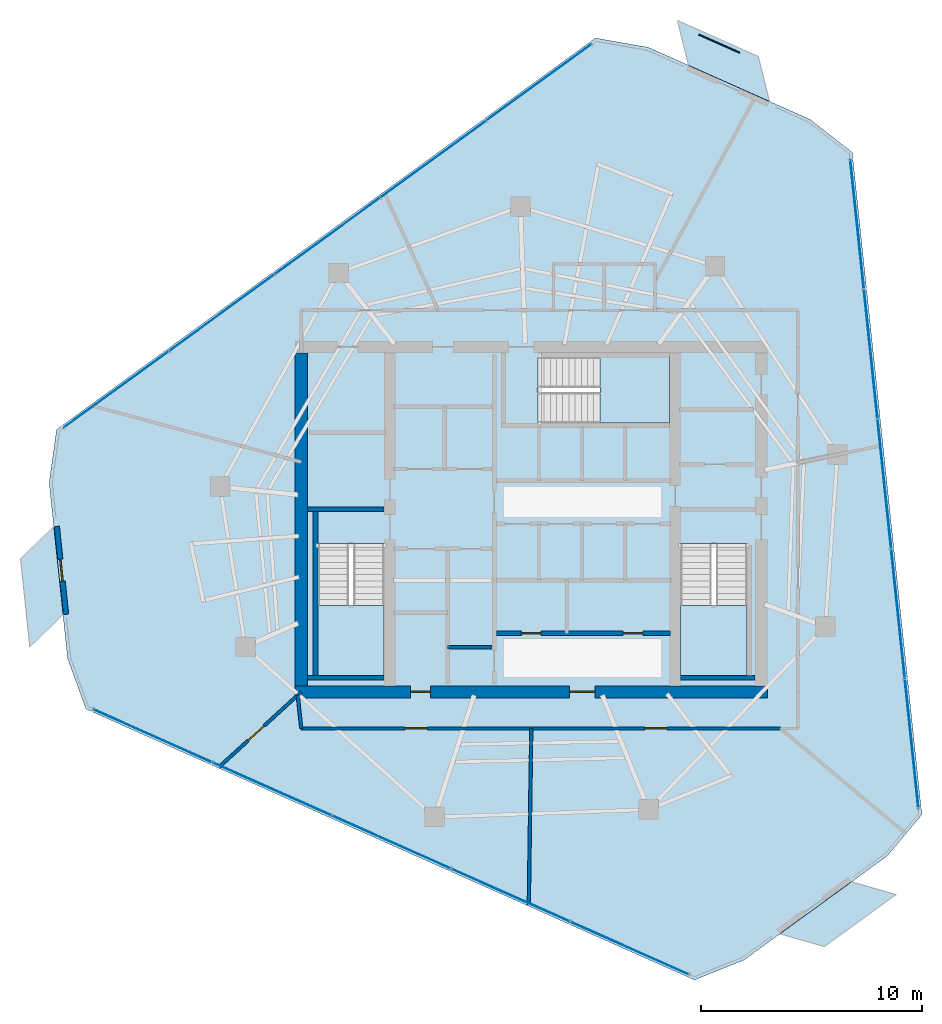
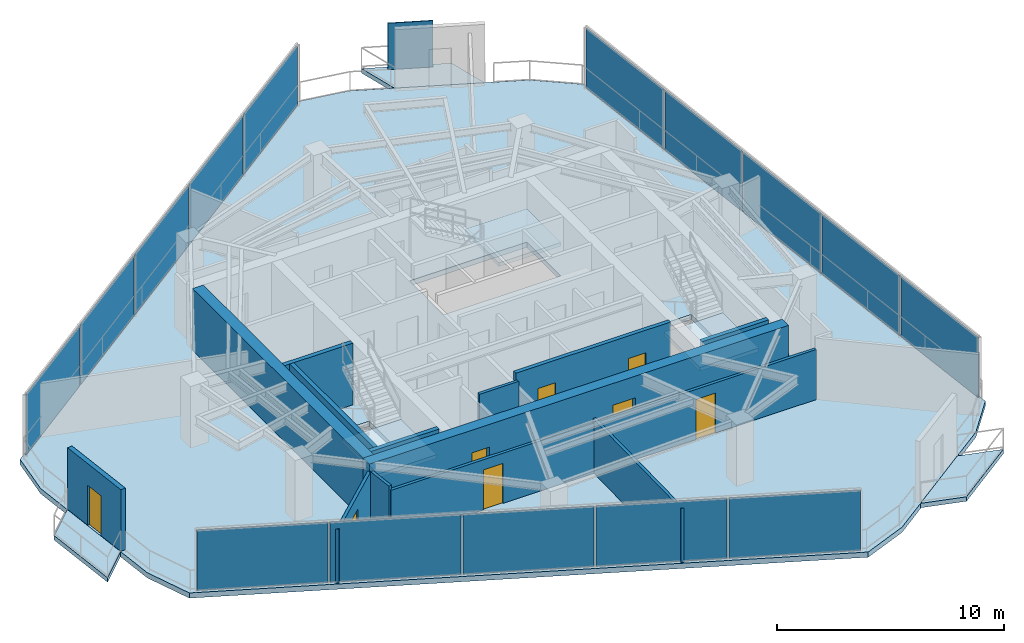
# One storey, part 15 of 20: 16 plates, 14 walls, 8 doors, 7 slabs, 8 openings, 6 elements without a shape of their own.
"""IFC4 building model written with IfcOpenShell, lengths in metres."""

from ifc_helpers import new_model, si_unit, direction, frame, frame_2d, origin, origin_2d, place, context, subcontext, project, spatial, polyline, rectangle, outline, extrude, material, layer, layer_set, type_object, element, fill, aggregate, save


model = new_model("IFC4")

# Units and contexts
model_context = context("Model", 3, precision=1e-05, world=origin(), true_north=direction((0.0, 1.0)))
body_context = subcontext(model_context, "Body", "Model", "MODEL_VIEW")
ifc_project = project(units=[si_unit("LENGTHUNIT", "METRE"), si_unit("AREAUNIT", "SQUARE_METRE"), si_unit("VOLUMEUNIT", "CUBIC_METRE"), si_unit("PLANEANGLEUNIT", "RADIAN"), si_unit("MASSUNIT", "GRAM", prefix="KILO")], contexts=[model_context])

# Site, building, storey
site_placement = place(None, origin())
site = spatial("IfcSite", under=ifc_project, at=site_placement, CompositionType="ELEMENT")
building_placement = place(site_placement, origin())
building = spatial("IfcBuilding", under=site, at=building_placement, Name="Qarnah Convention Tower", CompositionType="ELEMENT")
storey_placement = place(building_placement, frame((0.0, 0.0, 202.199951171875)))
storey = spatial("IfcBuildingStorey", under=building, at=storey_placement, Name="L54", CompositionType="ELEMENT", Elevation=202.199951171875)

# Curtain wall, plates
ifc_material_1 = material(Name="Tempered Low-E dark glass", Category="glass")
ifc_layer_1 = layer(ifc_material_1, 0.174072265625)
ifc_layer_set_1 = layer_set([ifc_layer_1], Name="Tempered Low-E dark glass")
curtain_wall_type = type_object("IfcCurtainWallType", Name="CWS-04", PredefinedType="NOTDEFINED", material=ifc_layer_set_1)
curtain_wall_1_placement = place(storey_placement, origin())
curtain_wall_1 = element("IfcCurtainWall", 1, at=curtain_wall_1_placement, inside=storey, type_object=curtain_wall_type, Name="L54 unitised curtain wall CW-L54-F1", PredefinedType="NOTDEFINED")
ifc_layer_2 = layer(ifc_material_1, 0.033935546875)
ifc_layer_set_2 = layer_set([ifc_layer_2], Name="Tempered Low-E dark glass")
plate_type_1 = type_object("IfcPlateType", Name="PNL-T4", PredefinedType="CURTAIN_PANEL", material=ifc_layer_set_2)
plate_1_placement = place(storey_placement, frame((41.655029296875, 7.00927734375, 0.0400390625), z_axis=(0.0, 0.0, 1.0), x_axis=(-0.913550057667, 0.406726311094, 0.0)))
plate_1 = element("IfcPlate", 2, at=plate_1_placement, type_object=plate_type_1, Name="CW-L54-F1 curtain panel 1.1", PredefinedType="CURTAIN_PANEL", context=body_context, shape_type="SweptSolid", body=[
    extrude(rectangle(XDim=5.822265625, YDim=0.033935546875, at=origin_2d()), origin(), (0.0, 0.0, 1.0), 3.239990234375),
])
plate_2_placement = place(storey_placement, frame((36.262939453125, 9.409912109375, 0.0400390625), z_axis=(0.0, 0.0, 1.0), x_axis=(-0.913550057667, 0.406726311094, 0.0)))
plate_2 = element("IfcPlate", 3, at=plate_2_placement, type_object=plate_type_1, Name="CW-L54-F1 curtain panel 2.1", PredefinedType="CURTAIN_PANEL", context=body_context, shape_type="SweptSolid", body=[
    extrude(rectangle(XDim=5.822265625, YDim=0.033935546875, at=origin_2d()), origin(), (0.0, 0.0, 1.0), 3.239990234375),
])
plate_3_placement = place(storey_placement, frame((30.87109375, 11.810546875, 0.0400390625), z_axis=(0.0, 0.0, 1.0), x_axis=(-0.913550057667, 0.406726311094, 0.0)))
plate_3 = element("IfcPlate", 4, at=plate_3_placement, type_object=plate_type_1, Name="CW-L54-F1 curtain panel 3.1", PredefinedType="CURTAIN_PANEL", context=body_context, shape_type="SweptSolid", body=[
    extrude(rectangle(XDim=5.822265625, YDim=0.033935546875, at=origin_2d()), origin(), (0.0, 0.0, 1.0), 3.239990234375),
])
plate_4_placement = place(storey_placement, frame((25.47900390625, 14.211181640625, 0.0400390625), z_axis=(0.0, 0.0, 1.0), x_axis=(-0.913550057667, 0.406726311094, 0.0)))
plate_4 = element("IfcPlate", 5, at=plate_4_placement, type_object=plate_type_1, Name="CW-L54-F1 curtain panel 4.1", PredefinedType="CURTAIN_PANEL", context=body_context, shape_type="SweptSolid", body=[
    extrude(rectangle(XDim=5.822265625, YDim=0.033935546875, at=origin_2d()), origin(), (0.0, 0.0, 1.0), 3.239990234375),
])
plate_5_placement = place(storey_placement, frame((20.0869140625, 16.61181640625, 0.0400390625), z_axis=(0.0, 0.0, 1.0), x_axis=(-0.913550057667, 0.406726311094, 0.0)))
plate_5 = element("IfcPlate", 6, at=plate_5_placement, type_object=plate_type_1, Name="CW-L54-F1 curtain panel 5.1", PredefinedType="CURTAIN_PANEL", context=body_context, shape_type="SweptSolid", body=[
    extrude(rectangle(XDim=5.822265625, YDim=0.033935546875, at=origin_2d()), origin(), (0.0, 0.0, 1.0), 3.239990234375),
])
aggregate(curtain_wall_1, [plate_1, plate_2, plate_3, plate_4, plate_5])

curtain_wall_2_placement = place(storey_placement, origin())
curtain_wall_2 = element("IfcCurtainWall", 7, at=curtain_wall_2_placement, inside=storey, type_object=curtain_wall_type, Name="L54 unitised curtain wall CW-L54-F2", PredefinedType="NOTDEFINED")
plate_6_placement = place(storey_placement, frame((51.931396484375, 39.748046875, 0.0400390625), z_axis=(0.0, 0.0, 1.0), x_axis=(0.104504856791, -0.994524376226, 0.0)))
plate_6 = element("IfcPlate", 8, at=plate_6_placement, type_object=plate_type_1, Name="CW-L54-F2 curtain panel 1.1", PredefinedType="CURTAIN_PANEL", context=body_context, shape_type="SweptSolid", body=[
    extrude(rectangle(XDim=5.822021484375, YDim=0.033935546875, at=origin_2d()), origin(), (0.0, 0.0, 1.0), 3.239990234375),
])
plate_7_placement = place(storey_placement, frame((52.548095703125, 33.87841796875, 0.0400390625), z_axis=(0.0, 0.0, 1.0), x_axis=(0.104504856791, -0.994524376226, 0.0)))
plate_7 = element("IfcPlate", 9, at=plate_7_placement, type_object=plate_type_1, Name="CW-L54-F2 curtain panel 2.1", PredefinedType="CURTAIN_PANEL", context=body_context, shape_type="SweptSolid", body=[
    extrude(rectangle(XDim=5.822021484375, YDim=0.033935546875, at=origin_2d()), origin(), (0.0, 0.0, 1.0), 3.239990234375),
])
plate_8_placement = place(storey_placement, frame((53.1650390625, 28.008544921875, 0.0400390625), z_axis=(0.0, 0.0, 1.0), x_axis=(0.104504856791, -0.994524376226, 0.0)))
plate_8 = element("IfcPlate", 10, at=plate_8_placement, type_object=plate_type_1, Name="CW-L54-F2 curtain panel 3.1", PredefinedType="CURTAIN_PANEL", context=body_context, shape_type="SweptSolid", body=[
    extrude(rectangle(XDim=5.822021484375, YDim=0.033935546875, at=origin_2d()), origin(), (0.0, 0.0, 1.0), 3.239990234375),
])
plate_9_placement = place(storey_placement, frame((53.78173828125, 22.138671875, 0.0400390625), z_axis=(0.0, 0.0, 1.0), x_axis=(0.104504856791, -0.994524376226, 0.0)))
plate_9 = element("IfcPlate", 11, at=plate_9_placement, type_object=plate_type_1, Name="CW-L54-F2 curtain panel 4.1", PredefinedType="CURTAIN_PANEL", context=body_context, shape_type="SweptSolid", body=[
    extrude(rectangle(XDim=5.822021484375, YDim=0.033935546875, at=origin_2d()), origin(), (0.0, 0.0, 1.0), 3.239990234375),
])
plate_10_placement = place(storey_placement, frame((54.398681640625, 16.268798828125, 0.0400390625), z_axis=(0.0, 0.0, 1.0), x_axis=(0.104504856791, -0.994524376226, 0.0)))
plate_10 = element("IfcPlate", 12, at=plate_10_placement, type_object=plate_type_1, Name="CW-L54-F2 curtain panel 5.1", PredefinedType="CURTAIN_PANEL", context=body_context, shape_type="SweptSolid", body=[
    extrude(rectangle(XDim=5.822021484375, YDim=0.033935546875, at=origin_2d()), origin(), (0.0, 0.0, 1.0), 3.239990234375),
])
aggregate(curtain_wall_2, [plate_6, plate_7, plate_8, plate_9, plate_10])

curtain_wall_3_placement = place(storey_placement, origin())
curtain_wall_3 = element("IfcCurtainWall", 13, at=curtain_wall_3_placement, inside=storey, type_object=curtain_wall_type, Name="L54 unitised curtain wall CW-L54-F3", PredefinedType="NOTDEFINED")
plate_11_placement = place(storey_placement, frame((18.4404296875, 32.277587890625, 0.0400390625), z_axis=(0.0, 0.0, 1.0), x_axis=(0.809004150179, 0.587802930405, 0.0)))
plate_11 = element("IfcPlate", 14, at=plate_11_placement, type_object=plate_type_1, Name="CW-L54-F3 curtain panel 1.1", PredefinedType="CURTAIN_PANEL", context=body_context, shape_type="SweptSolid", body=[
    extrude(rectangle(XDim=5.822265625, YDim=0.033935546875, at=origin_2d()), origin(), (0.0, 0.0, 1.0), 3.239990234375),
])
plate_12_placement = place(storey_placement, frame((23.215576171875, 35.7470703125, 0.0400390625), z_axis=(0.0, 0.0, 1.0), x_axis=(0.809004150179, 0.587802930405, 0.0)))
plate_12 = element("IfcPlate", 15, at=plate_12_placement, type_object=plate_type_1, Name="CW-L54-F3 curtain panel 2.1", PredefinedType="CURTAIN_PANEL", context=body_context, shape_type="SweptSolid", body=[
    extrude(rectangle(XDim=5.822265625, YDim=0.033935546875, at=origin_2d()), origin(), (0.0, 0.0, 1.0), 3.239990234375),
])
plate_13_placement = place(storey_placement, frame((27.990478515625, 39.216552734375, 0.0400390625), z_axis=(0.0, 0.0, 1.0), x_axis=(0.809004150179, 0.587802930405, 0.0)))
plate_13 = element("IfcPlate", 16, at=plate_13_placement, type_object=plate_type_1, Name="CW-L54-F3 curtain panel 3.1", PredefinedType="CURTAIN_PANEL", context=body_context, shape_type="SweptSolid", body=[
    extrude(rectangle(XDim=5.822265625, YDim=0.033935546875, at=origin_2d()), origin(), (0.0, 0.0, 1.0), 3.239990234375),
])
plate_14_placement = place(storey_placement, frame((32.765380859375, 42.685791015625, 0.0400390625), z_axis=(0.0, 0.0, 1.0), x_axis=(0.809004150179, 0.587802930405, 0.0)))
plate_14 = element("IfcPlate", 17, at=plate_14_placement, type_object=plate_type_1, Name="CW-L54-F3 curtain panel 4.1", PredefinedType="CURTAIN_PANEL", context=body_context, shape_type="SweptSolid", body=[
    extrude(rectangle(XDim=5.822265625, YDim=0.033935546875, at=origin_2d()), origin(), (0.0, 0.0, 1.0), 3.239990234375),
])
plate_15_placement = place(storey_placement, frame((37.54052734375, 46.1552734375, 0.0400390625), z_axis=(0.0, 0.0, 1.0), x_axis=(0.809004150179, 0.587802930405, 0.0)))
plate_15 = element("IfcPlate", 18, at=plate_15_placement, type_object=plate_type_1, Name="CW-L54-F3 curtain panel 5.1", PredefinedType="CURTAIN_PANEL", context=body_context, shape_type="SweptSolid", body=[
    extrude(rectangle(XDim=5.822265625, YDim=0.033935546875, at=origin_2d()), origin(), (0.0, 0.0, 1.0), 3.239990234375),
])
aggregate(curtain_wall_3, [plate_11, plate_12, plate_13, plate_14, plate_15])

# Plate
ifc_material_2 = material(Name="Black anodised aluminium", Category="aluminium")
ifc_layer_3 = layer(ifc_material_2, 0.044921875)
ifc_layer_set_3 = layer_set([ifc_layer_3], Name="Black anodised aluminium")
plate_type_2 = type_object("IfcPlateType", Name="SCR-BAL-18", PredefinedType="USERDEFINED", material=ifc_layer_set_3)
plate_16_placement = place(storey_placement, frame((45.694091796875, 47.909912109375, 0.0), z_axis=(0.0, 0.0, 1.0), x_axis=(0.913574560767, -0.406671270092, 0.0)))
element("IfcPlate", 19, at=plate_16_placement, inside=storey, type_object=plate_type_2, Name="L54 perforated desert solar screen BAL-L54-C1", ObjectType="SCREEN", PredefinedType="USERDEFINED", context=body_context, shape_type="SweptSolid", body=[
    extrude(rectangle(XDim=2.0, YDim=0.044921875, at=origin_2d()), origin(), (0.0, 0.0, 1.0), 2.5),
])

# Slabs
ifc_material_3 = material(Name="Concrete C45/55", Category="concrete")
ifc_layer_4 = layer(ifc_material_3, 0.239990234375)
ifc_layer_set_4 = layer_set([ifc_layer_4], Name="Concrete C45/55")
slab_type_1 = type_object("IfcSlabType", Name="SLB-BAL-240", PredefinedType="USERDEFINED", material=ifc_layer_set_4)
slab_1_placement = place(storey_placement, frame((0.0, 0.0, -0.239990234375)))
element("IfcSlab", 20, at=slab_1_placement, inside=storey, type_object=slab_type_1, Name="L54 cantilevered balcony slab BAL-L54-C1", ObjectType="BALCONY", PredefinedType="USERDEFINED", context=body_context, shape_type="SweptSolid", body=[
    extrude(outline(polyline([(43.80810546875, 48.9560546875), (47.462890625, 47.3291015625), (47.968994140625, 45.298095703125), (44.31494140625, 46.925048828125), (43.80810546875, 48.9560546875)])), origin(), (0.0, 0.0, 1.0), 0.239990234375),
])
slab_2_placement = place(storey_placement, frame((0.0, 0.0, -0.239990234375)))
element("IfcSlab", 21, at=slab_2_placement, inside=storey, type_object=slab_type_1, Name="L54 cantilevered balcony slab BAL-L54-C2", ObjectType="BALCONY", PredefinedType="USERDEFINED", context=body_context, shape_type="SweptSolid", body=[
    extrude(outline(polyline([(14.527099609375, 20.639892578125), (14.10888671875, 24.617919921875), (15.614990234375, 26.071044921875), (16.032958984375, 22.093017578125), (14.527099609375, 20.639892578125)])), origin(), (0.0, 0.0, 1.0), 0.239990234375),
])
slab_3_placement = place(storey_placement, frame((0.0, 0.0, -0.239990234375)))
element("IfcSlab", 22, at=slab_3_placement, inside=storey, type_object=slab_type_1, Name="L54 cantilevered balcony slab BAL-L54-C3", ObjectType="BALCONY", PredefinedType="USERDEFINED", context=body_context, shape_type="SweptSolid", body=[
    extrude(outline(polyline([(53.68994140625, 9.43994140625), (50.4541015625, 7.087890625), (48.44189453125, 7.666015625), (51.677978515625, 10.01708984375), (53.68994140625, 9.43994140625)])), origin(), (0.0, 0.0, 1.0), 0.239990234375),
])

# Stair, slab
ifc_material_4 = material(Name="Concrete C50/60", Category="concrete")
stair_type = type_object("IfcStairType", Name="STR-OFF", PredefinedType="HALF_TURN_STAIR", material=ifc_material_4)
stair_1_placement = place(storey_placement, origin())
stair_1 = element("IfcStair", 23, at=stair_1_placement, inside=storey, type_object=stair_type, Name="L54 Core exit stair ST-1", PredefinedType="HALF_TURN_STAIR")
ifc_layer_5 = layer(ifc_material_4, 0.199951171875)
ifc_layer_set_5 = layer_set([ifc_layer_5], Name="Concrete C50/60")
slab_type_2 = type_object("IfcSlabType", Name="SLB-LANDING-200", PredefinedType="LANDING", material=ifc_layer_set_5)
slab_4_placement = place(storey_placement, frame((0.0, 0.0, 1.60009765625)))
slab_4 = element("IfcSlab", 24, at=slab_4_placement, type_object=slab_type_2, Name="ST-1 landing 1", PredefinedType="LANDING", context=body_context, shape_type="SweptSolid", body=[
    extrude(outline(polyline([(27.550048828125, 22.5), (27.550048828125, 19.35009765625), (30.550048828125, 19.35009765625), (30.550048828125, 22.5), (27.550048828125, 22.5)])), origin(), (0.0, 0.0, 1.0), 0.199951171875),
])
aggregate(stair_1, [slab_4])

stair_2_placement = place(storey_placement, origin())
stair_2 = element("IfcStair", 25, at=stair_2_placement, inside=storey, type_object=stair_type, Name="L54 Core exit stair ST-2", PredefinedType="HALF_TURN_STAIR")
slab_5_placement = place(storey_placement, frame((0.0, 0.0, 1.60009765625)))
slab_5 = element("IfcSlab", 26, at=slab_5_placement, type_object=slab_type_2, Name="ST-2 landing 1", PredefinedType="LANDING", context=body_context, shape_type="SweptSolid", body=[
    extrude(outline(polyline([(43.949951171875, 22.5), (43.949951171875, 19.35009765625), (46.949951171875, 19.35009765625), (46.949951171875, 22.5), (43.949951171875, 22.5)])), origin(), (0.0, 0.0, 1.0), 0.199951171875),
])
aggregate(stair_2, [slab_5])

stair_3_placement = place(storey_placement, origin())
stair_3 = element("IfcStair", 27, at=stair_3_placement, inside=storey, type_object=stair_type, Name="L54 Core exit stair ST-3", PredefinedType="HALF_TURN_STAIR")
slab_6_placement = place(storey_placement, frame((0.0, 0.0, 1.60009765625)))
slab_6 = element("IfcSlab", 28, at=slab_6_placement, type_object=slab_type_2, Name="ST-3 landing 1", PredefinedType="LANDING", context=body_context, shape_type="SweptSolid", body=[
    extrude(outline(polyline([(40.300048828125, 30.75), (43.449951171875, 30.75), (43.449951171875, 33.75), (40.300048828125, 33.75), (40.300048828125, 30.75)])), origin(), (0.0, 0.0, 1.0), 0.199951171875),
])
aggregate(stair_3, [slab_6])

# Slab
ifc_layer_6 = layer(ifc_material_3, 0.280029296875)
ifc_layer_set_6 = layer_set([ifc_layer_6], Name="Concrete C45/55")
slab_type_3 = type_object("IfcSlabType", Name="SLB-TWR-280", PredefinedType="FLOOR", material=ifc_layer_set_6)
slab_7_placement = place(storey_placement, frame((0.0, 0.0, -0.280029296875)))
element("IfcSlab", 29, at=slab_7_placement, inside=storey, type_object=slab_type_3, Name="L54 structural floor slab", PredefinedType="FLOOR", context=body_context, shape_type="SweptSolid", body=[
    extrude(outline(polyline([(40.10009765625, 48.1630859375), (15.739990234375, 30.464111328125), (15.402099609375, 28.06005859375), (16.238037109375, 20.10595703125), (17.068115234375, 17.823974609375), (44.575927734375, 5.576904296875), (46.826904296875, 6.487060546875), (53.297119140625, 11.18798828125), (54.85791015625, 13.048095703125), (51.7109375, 42.993896484375), (49.797119140625, 44.488037109375), (42.490966796875, 47.740966796875), (40.10009765625, 48.1630859375)]), holes=[polyline([(27.550048828125, 25.300048828125), (27.550048828125, 19.35009765625), (30.550048828125, 19.35009765625), (30.550048828125, 25.300048828125), (27.550048828125, 25.300048828125)]), polyline([(43.949951171875, 25.300048828125), (43.949951171875, 19.35009765625), (46.949951171875, 19.35009765625), (46.949951171875, 25.300048828125), (43.949951171875, 25.300048828125)]), polyline([(37.5, 30.75), (43.449951171875, 30.75), (43.449951171875, 33.75), (37.5, 33.75), (37.5, 30.75)])]), origin(), (0.0, 0.0, 1.0), 0.280029296875),
])

# Wall, openings, doors
ifc_material_5 = material(Name="Concrete C60/75", Category="concrete")
ifc_layer_7 = layer(ifc_material_5, 0.550048828125)
ifc_layer_set_7 = layer_set([ifc_layer_7], Name="Concrete C60/75")
wall_type_1 = type_object("IfcWallType", Name="WL-CORE-550", PredefinedType="SHEAR", material=ifc_layer_set_7)
wall_1_placement = place(storey_placement, frame((26.52490234375, 18.60009765625, 0.0), z_axis=(0.0, 0.0, 1.0), x_axis=(1.0, 0.0, 0.0)))
wall_1 = element("IfcWall", 30, at=wall_1_placement, inside=storey, type_object=wall_type_1, Name="L54 core south shear wall", PredefinedType="SHEAR", context=body_context, shape_type="SweptSolid", body=[
    extrude(rectangle(XDim=21.35009765625, YDim=0.550048828125, at=frame_2d((10.675048828125, 0.0))), origin(), (0.0, 0.0, 1.0), 3.320068359375),
])
opening_1_placement = place(wall_1_placement, frame((12.39990234375, 0.0, 0.0)))
opening_1 = element("IfcOpeningElement", 31, at=opening_1_placement, cuts=wall_1, Name="Opening D-5407", PredefinedType="OPENING", context=body_context, shape_type="SweptSolid", body=[
    extrude(rectangle(XDim=1.14990234375, YDim=2.14990234375, at=frame_2d((0.574951171875, 1.074951171875))), frame((0.0, 0.284912109375, 0.0), z_axis=(0.0, -1.0, 0.0), x_axis=(1.0, 0.0, 0.0)), (0.0, 0.0, 1.0), 0.570068359375),
])
opening_2_placement = place(wall_1_placement, frame((5.22509765625, 0.0, 0.0)))
opening_2 = element("IfcOpeningElement", 32, at=opening_2_placement, cuts=wall_1, Name="Opening D-5413", PredefinedType="OPENING", context=body_context, shape_type="SweptSolid", body=[
    extrude(rectangle(XDim=0.89990234375, YDim=2.10009765625, at=frame_2d((0.449951171875, 1.050048828125))), frame((0.0, 0.284912109375, 0.0), z_axis=(0.0, -1.0, 0.0), x_axis=(1.0, 0.0, 0.0)), (0.0, 0.0, 1.0), 0.570068359375),
])
ifc_material_6 = material(Name="Structural steel S355JR", Category="steel")
door_type_1 = type_object("IfcDoorType", Name="DT-LOBBY-1150", OperationType="NOTDEFINED", PredefinedType="DOOR", material=ifc_material_6)
door_1_placement = place(opening_1_placement, origin())
door_1 = element("IfcDoor", 33, at=door_1_placement, inside=storey, type_object=door_type_1, Name="Door D-5407", OperationType="SINGLE_SWING_LEFT", OverallHeight=2.14990234375, OverallWidth=1.14990234375, PredefinedType="DOOR", context=body_context, shape_type="SweptSolid", body=[
    extrude(rectangle(XDim=1.14990234375, YDim=2.14990234375, at=frame_2d((0.574951171875, 1.074951171875))), frame((0.0, 0.02490234375, 0.0), z_axis=(0.0, -1.0, 0.0), x_axis=(1.0, 0.0, 0.0)), (0.0, 0.0, 1.0), 0.050048828125),
])
fill(opening_1, door_1)
door_type_2 = type_object("IfcDoorType", Name="DT-RISER-900", OperationType="NOTDEFINED", PredefinedType="DOOR", material=ifc_material_6)
door_2_placement = place(opening_2_placement, origin())
door_2 = element("IfcDoor", 34, at=door_2_placement, inside=storey, type_object=door_type_2, Name="Door D-5413", OperationType="SINGLE_SWING_LEFT", OverallHeight=2.10009765625, OverallWidth=0.89990234375, PredefinedType="DOOR", context=body_context, shape_type="SweptSolid", body=[
    extrude(rectangle(XDim=0.89990234375, YDim=2.10009765625, at=frame_2d((0.449951171875, 1.050048828125))), frame((0.0, 0.02490234375, 0.0), z_axis=(0.0, -1.0, 0.0), x_axis=(1.0, 0.0, 0.0)), (0.0, 0.0, 1.0), 0.050048828125),
])
fill(opening_2, door_2)

# Wall
wall_2_placement = place(storey_placement, frame((26.800048828125, 18.875, 0.0), z_axis=(0.0, 0.0, 1.0), x_axis=(0.0, 1.0, 0.0)))
element("IfcWall", 35, at=wall_2_placement, inside=storey, type_object=wall_type_1, Name="L54 core west shear wall", PredefinedType="SHEAR", context=body_context, shape_type="SweptSolid", body=[
    extrude(rectangle(XDim=15.050048828125, YDim=0.550048828125, at=frame_2d((7.52490234375, 0.0))), origin(), (0.0, 0.0, 1.0), 3.320068359375),
])

# Wall, openings, doors
ifc_layer_8 = layer(ifc_material_3, 0.199951171875)
ifc_layer_set_8 = layer_set([ifc_layer_8], Name="Concrete C45/55")
wall_type_2 = type_object("IfcWallType", Name="WL-CORE-PART-200", PredefinedType="SOLIDWALL", material=ifc_layer_set_8)
wall_3_placement = place(storey_placement, frame((35.6201171875, 21.25, 0.0), z_axis=(0.0, 0.0, 1.0), x_axis=(1.0, 0.0, 0.0)))
wall_3 = element("IfcWall", 36, at=wall_3_placement, inside=storey, type_object=wall_type_2, Name="L54 interior wall IW-L54-PLS", PredefinedType="SOLIDWALL", context=body_context, shape_type="SweptSolid", body=[
    extrude(rectangle(XDim=7.8798828125, YDim=0.199951171875, at=frame_2d((3.93994140625, 0.0))), origin(), (0.0, 0.0, 1.0), 3.320068359375),
])
opening_3_placement = place(wall_3_placement, frame((1.1298828125, 0.0, 0.0)))
opening_3 = element("IfcOpeningElement", 37, at=opening_3_placement, cuts=wall_3, Name="Opening D-5416", PredefinedType="OPENING", context=body_context, shape_type="SweptSolid", body=[
    extrude(rectangle(XDim=0.89990234375, YDim=2.10009765625, at=frame_2d((0.449951171875, 1.050048828125))), frame((0.0, 0.10986328125, 0.0), z_axis=(0.0, -1.0, 0.0), x_axis=(1.0, 0.0, 0.0)), (0.0, 0.0, 1.0), 0.219970703125),
])
opening_4_placement = place(wall_3_placement, frame((5.72998046875, 0.0, 0.0)))
opening_4 = element("IfcOpeningElement", 38, at=opening_4_placement, cuts=wall_3, Name="Opening D-5417", PredefinedType="OPENING", context=body_context, shape_type="SweptSolid", body=[
    extrude(rectangle(XDim=0.89990234375, YDim=2.10009765625, at=frame_2d((0.449951171875, 1.050048828125))), frame((0.0, 0.10986328125, 0.0), z_axis=(0.0, -1.0, 0.0), x_axis=(1.0, 0.0, 0.0)), (0.0, 0.0, 1.0), 0.219970703125),
])
door_3_placement = place(opening_3_placement, origin())
door_3 = element("IfcDoor", 39, at=door_3_placement, inside=storey, type_object=door_type_2, Name="Door D-5416", OperationType="SINGLE_SWING_RIGHT", OverallHeight=2.10009765625, OverallWidth=0.89990234375, PredefinedType="DOOR", context=body_context, shape_type="SweptSolid", body=[
    extrude(rectangle(XDim=0.89990234375, YDim=2.10009765625, at=frame_2d((0.449951171875, 1.050048828125))), frame((0.0, 0.02490234375, 0.0), z_axis=(0.0, -1.0, 0.0), x_axis=(1.0, 0.0, 0.0)), (0.0, 0.0, 1.0), 0.050048828125),
])
fill(opening_3, door_3)
door_4_placement = place(opening_4_placement, origin())
door_4 = element("IfcDoor", 40, at=door_4_placement, inside=storey, type_object=door_type_2, Name="Door D-5417", OperationType="SINGLE_SWING_LEFT", OverallHeight=2.10009765625, OverallWidth=0.89990234375, PredefinedType="DOOR", context=body_context, shape_type="SweptSolid", body=[
    extrude(rectangle(XDim=0.89990234375, YDim=2.10009765625, at=frame_2d((0.449951171875, 1.050048828125))), frame((0.0, 0.02490234375, 0.0), z_axis=(0.0, -1.0, 0.0), x_axis=(1.0, 0.0, 0.0)), (0.0, 0.0, 1.0), 0.050048828125),
])
fill(opening_4, door_4)

# Walls
ifc_layer_9 = layer(ifc_material_5, 0.219970703125)
ifc_layer_set_9 = layer_set([ifc_layer_9], Name="Concrete C60/75")
wall_type_3 = type_object("IfcWallType", Name="WL-CORE-STAIR-220", PredefinedType="SHEAR", material=ifc_layer_set_9)
wall_4_placement = place(storey_placement, frame((27.074951171875, 26.860107421875, 0.0), z_axis=(0.0, 0.0, 1.0), x_axis=(1.0, 0.0, 0.0)))
element("IfcWall", 41, at=wall_4_placement, inside=storey, type_object=wall_type_3, Name="L54 stair shaft shear wall SW-L54-ST1N", PredefinedType="SHEAR", context=body_context, shape_type="SweptSolid", body=[
    extrude(rectangle(XDim=3.47509765625, YDim=0.219970703125, at=frame_2d((1.737548828125, 0.0))), origin(), (0.0, 0.0, 1.0), 3.320068359375),
])
wall_5_placement = place(storey_placement, frame((27.43994140625, 19.35009765625, 0.0), z_axis=(0.0, 0.0, 1.0), x_axis=(0.0, 1.0, 0.0)))
element("IfcWall", 42, at=wall_5_placement, inside=storey, type_object=wall_type_3, Name="L54 stair shaft shear wall SW-L54-ST1W", PredefinedType="SHEAR", context=body_context, shape_type="SweptSolid", body=[
    extrude(rectangle(XDim=7.39990234375, YDim=0.219970703125, at=frame_2d((3.699951171875, 0.0))), origin(), (0.0, 0.0, 1.0), 3.320068359375),
])
wall_6_placement = place(storey_placement, frame((27.074951171875, 19.239990234375, 0.0), z_axis=(0.0, 0.0, 1.0), x_axis=(1.0, 0.0, 0.0)))
element("IfcWall", 43, at=wall_6_placement, inside=storey, type_object=wall_type_3, Name="L54 stair shaft shear wall SW-L54-ST1S", PredefinedType="SHEAR", context=body_context, shape_type="SweptSolid", body=[
    extrude(rectangle(XDim=3.47509765625, YDim=0.219970703125, at=frame_2d((1.737548828125, 0.0))), origin(), (0.0, 0.0, 1.0), 3.320068359375),
])
wall_7_placement = place(storey_placement, frame((43.949951171875, 19.239990234375, 0.0), z_axis=(0.0, 0.0, 1.0), x_axis=(1.0, 0.0, 0.0)))
element("IfcWall", 44, at=wall_7_placement, inside=storey, type_object=wall_type_3, Name="L54 stair shaft shear wall SW-L54-ST2S", PredefinedType="SHEAR", context=body_context, shape_type="SweptSolid", body=[
    extrude(rectangle(XDim=3.375, YDim=0.219970703125, at=frame_2d((1.6875, 0.0))), origin(), (0.0, 0.0, 1.0), 3.320068359375),
])

# Wall, opening, door
ifc_material_7 = material(Name="Precast concrete C45/55", Category="concrete")
ifc_layer_10 = layer(ifc_material_7, 0.239990234375)
ifc_layer_set_10 = layer_set([ifc_layer_10], Name="Precast concrete C45/55")
wall_type_4 = type_object("IfcWallType", Name="WL-EXT-BAL-240", PredefinedType="SOLIDWALL", material=ifc_layer_set_10)
wall_8_placement = place(storey_placement, frame((16.16796875, 22.10791015625, 0.0), z_axis=(0.0, 0.0, 1.0), x_axis=(-0.104468782709, 0.994528166237, 0.0)))
wall_8 = element("IfcWall", 45, at=wall_8_placement, inside=storey, type_object=wall_type_4, Name="L54 loggia threshold wall BAL-L54-C2", PredefinedType="SOLIDWALL", context=body_context, shape_type="SweptSolid", body=[
    extrude(rectangle(XDim=4.0009765625, YDim=0.239990234375, at=frame_2d((2.00048828125, 0.0))), origin(), (0.0, 0.0, 1.0), 3.320068359375),
])
opening_5_placement = place(wall_8_placement, frame((1.5, 0.0, 0.0)))
opening_5 = element("IfcOpeningElement", 46, at=opening_5_placement, cuts=wall_8, Name="Opening BD-5402", PredefinedType="OPENING", context=body_context, shape_type="SweptSolid", body=[
    extrude(rectangle(XDim=1.0, YDim=2.14990234375, at=frame_2d((0.5, 1.074951171875))), frame((0.0, 0.1298828125, 0.0), z_axis=(0.0, -1.0, 0.0), x_axis=(1.0, 0.0, 0.0)), (0.0, 0.0, 1.0), 0.260009765625),
])
door_type_3 = type_object("IfcDoorType", Name="DT-BAL-1000", OperationType="NOTDEFINED", PredefinedType="DOOR", material=ifc_material_2)
door_5_placement = place(opening_5_placement, origin())
door_5 = element("IfcDoor", 47, at=door_5_placement, inside=storey, type_object=door_type_3, Name="L54 balcony terrace door BAL-L54-C2", OperationType="SINGLE_SWING_RIGHT", OverallHeight=2.14990234375, OverallWidth=1.0, PredefinedType="DOOR", context=body_context, shape_type="SweptSolid", body=[
    extrude(rectangle(XDim=1.0, YDim=2.14990234375, at=frame_2d((0.5, 1.074951171875))), frame((0.0, 0.02490234375, 0.0), z_axis=(0.0, -1.0, 0.0), x_axis=(1.0, 0.0, 0.0)), (0.0, 0.0, 1.0), 0.050048828125),
])
fill(opening_5, door_5)

# Wall
ifc_material_8 = material(Name="Gypsum partition board")
ifc_layer_11 = layer(ifc_material_8, 0.14990234375)
ifc_layer_set_11 = layer_set([ifc_layer_11], Name="Gypsum partition board")
wall_type_5 = type_object("IfcWallType", Name="WL-SUITE-150", PredefinedType="PARTITIONING", material=ifc_layer_set_11)
wall_9_placement = place(storey_placement, frame((33.419921875, 20.6201171875, 0.0), z_axis=(0.0, 0.0, 1.0), x_axis=(1.0, 0.0, 0.0)))
element("IfcWall", 48, at=wall_9_placement, inside=storey, type_object=wall_type_5, Name="L54 interior wall IW-L54-CSV1", PredefinedType="PARTITIONING", context=body_context, shape_type="SweptSolid", body=[
    extrude(rectangle(XDim=2.0, YDim=0.14990234375, at=frame_2d((1.0, 0.0))), origin(), (0.0, 0.0, 1.0), 3.320068359375),
])

# Wall, opening, door
wall_10_placement = place(storey_placement, frame((23.09912109375, 15.217041015625, 0.0), z_axis=(0.0, 0.0, 1.0), x_axis=(0.738093238047, 0.674698726803, 0.0)))
wall_10 = element("IfcWall", 49, at=wall_10_placement, inside=storey, type_object=wall_type_5, Name="L54 interior wall IW-L54-R-19", PredefinedType="PARTITIONING", context=body_context, shape_type="SweptSolid", body=[
    extrude(rectangle(XDim=5.01416015625, YDim=0.14990234375, at=frame_2d((2.507080078125, 0.0))), origin(), (0.0, 0.0, 1.0), 2.905029296875),
])
opening_6_placement = place(wall_10_placement, frame((1.7548828125, 0.0, 0.0)))
opening_6 = element("IfcOpeningElement", 50, at=opening_6_placement, cuts=wall_10, Name="Opening D-5423", PredefinedType="OPENING", context=body_context, shape_type="SweptSolid", body=[
    extrude(rectangle(XDim=1.0, YDim=2.14990234375, at=frame_2d((0.5, 1.074951171875))), frame((0.0, 0.0849609375, 0.0), z_axis=(0.0, -1.0, 0.0), x_axis=(1.0, 0.0, 0.0)), (0.0, 0.0, 1.0), 0.169921875),
])
ifc_material_9 = material(Name="Oak timber veneer", Category="wood")
door_type_4 = type_object("IfcDoorType", Name="DT-OFFICE-1000", OperationType="NOTDEFINED", PredefinedType="DOOR", material=ifc_material_9)
door_6_placement = place(opening_6_placement, origin())
door_6 = element("IfcDoor", 51, at=door_6_placement, inside=storey, type_object=door_type_4, Name="Door D-5423", OperationType="SINGLE_SWING_LEFT", OverallHeight=2.14990234375, OverallWidth=1.0, PredefinedType="DOOR", context=body_context, shape_type="SweptSolid", body=[
    extrude(rectangle(XDim=1.0, YDim=2.14990234375, at=frame_2d((0.5, 1.074951171875))), frame((0.0, 0.02490234375, 0.0), z_axis=(0.0, -1.0, 0.0), x_axis=(1.0, 0.0, 0.0)), (0.0, 0.0, 1.0), 0.050048828125),
])
fill(opening_6, door_6)

# Wall
wall_11_placement = place(storey_placement, frame((37.0869140625, 8.991943359375, 0.0), z_axis=(0.0, 0.0, 1.0), x_axis=(0.014202764137, 0.999899135659, 0.0)))
element("IfcWall", 52, at=wall_11_placement, inside=storey, type_object=wall_type_5, Name="L54 interior wall IW-L54-R-20", PredefinedType="PARTITIONING", context=body_context, shape_type="SweptSolid", body=[
    extrude(rectangle(XDim=7.958740234375, YDim=0.14990234375, at=frame_2d((3.9794921875, 0.0))), origin(), (0.0, 0.0, 1.0), 2.905029296875),
])

# Wall, opening, door
wall_12_placement = place(storey_placement, frame((37.199951171875, 16.949951171875, 0.0), z_axis=(0.0, 0.0, 1.0), x_axis=(-1.0, 0.0, 0.0)))
wall_12 = element("IfcWall", 53, at=wall_12_placement, inside=storey, type_object=wall_type_5, Name="L54 interior wall IW-L54-R-21", PredefinedType="PARTITIONING", context=body_context, shape_type="SweptSolid", body=[
    extrude(rectangle(XDim=10.39990234375, YDim=0.14990234375, at=frame_2d((5.199951171875, 0.0))), origin(), (0.0, 0.0, 1.0), 2.697021484375),
])
opening_7_placement = place(wall_12_placement, frame((4.699951171875, 0.0, 0.0)))
opening_7 = element("IfcOpeningElement", 54, at=opening_7_placement, cuts=wall_12, Name="Opening D-5424", PredefinedType="OPENING", context=body_context, shape_type="SweptSolid", body=[
    extrude(rectangle(XDim=1.0, YDim=2.14990234375, at=frame_2d((0.5, 1.074951171875))), frame((0.0, 0.0849609375, 0.0), z_axis=(0.0, -1.0, 0.0), x_axis=(1.0, 0.0, 0.0)), (0.0, 0.0, 1.0), 0.169921875),
])
door_7_placement = place(opening_7_placement, origin())
door_7 = element("IfcDoor", 55, at=door_7_placement, inside=storey, type_object=door_type_4, Name="Door D-5424", OperationType="SINGLE_SWING_RIGHT", OverallHeight=2.14990234375, OverallWidth=1.0, PredefinedType="DOOR", context=body_context, shape_type="SweptSolid", body=[
    extrude(rectangle(XDim=1.0, YDim=2.14990234375, at=frame_2d((0.5, 1.074951171875))), frame((0.0, 0.02490234375, 0.0), z_axis=(0.0, -1.0, 0.0), x_axis=(1.0, 0.0, 0.0)), (0.0, 0.0, 1.0), 0.050048828125),
])
fill(opening_7, door_7)

# Wall
wall_13_placement = place(storey_placement, frame((26.800048828125, 16.949951171875, 0.0), z_axis=(0.0, 0.0, 1.0), x_axis=(-0.107309146026, 0.994225702333, 0.0)))
element("IfcWall", 56, at=wall_13_placement, inside=storey, type_object=wall_type_5, Name="L54 interior wall IW-L54-R-22", PredefinedType="PARTITIONING", context=body_context, shape_type="SweptSolid", body=[
    extrude(rectangle(XDim=1.5107421875, YDim=0.14990234375, at=frame_2d((0.75537109375, 0.0))), origin(), (0.0, 0.0, 1.0), 2.905029296875),
])

# Wall, opening, door
wall_14_placement = place(storey_placement, frame((48.4619140625, 16.949951171875, 0.0), z_axis=(0.0, 0.0, 1.0), x_axis=(-1.0, 0.0, 0.0)))
wall_14 = element("IfcWall", 57, at=wall_14_placement, inside=storey, type_object=wall_type_5, Name="L54 interior wall IW-L54-R-24", PredefinedType="PARTITIONING", context=body_context, shape_type="SweptSolid", body=[
    extrude(rectangle(XDim=11.261962890625, YDim=0.14990234375, at=frame_2d((5.630859375, 0.0))), origin(), (0.0, 0.0, 1.0), 2.697021484375),
])
opening_8_placement = place(wall_14_placement, frame((5.131103515625, 0.0, 0.0)))
opening_8 = element("IfcOpeningElement", 58, at=opening_8_placement, cuts=wall_14, Name="Opening D-5425", PredefinedType="OPENING", context=body_context, shape_type="SweptSolid", body=[
    extrude(rectangle(XDim=1.0, YDim=2.14990234375, at=frame_2d((0.5, 1.074951171875))), frame((0.0, 0.0849609375, 0.0), z_axis=(0.0, -1.0, 0.0), x_axis=(1.0, 0.0, 0.0)), (0.0, 0.0, 1.0), 0.169921875),
])
door_8_placement = place(opening_8_placement, origin())
door_8 = element("IfcDoor", 59, at=door_8_placement, inside=storey, type_object=door_type_4, Name="Door D-5425", OperationType="SINGLE_SWING_LEFT", OverallHeight=2.14990234375, OverallWidth=1.0, PredefinedType="DOOR", context=body_context, shape_type="SweptSolid", body=[
    extrude(rectangle(XDim=1.0, YDim=2.14990234375, at=frame_2d((0.5, 1.074951171875))), frame((0.0, 0.02490234375, 0.0), z_axis=(0.0, -1.0, 0.0), x_axis=(1.0, 0.0, 0.0)), (0.0, 0.0, 1.0), 0.050048828125),
])
fill(opening_8, door_8)

save(model, "model.ifc")
